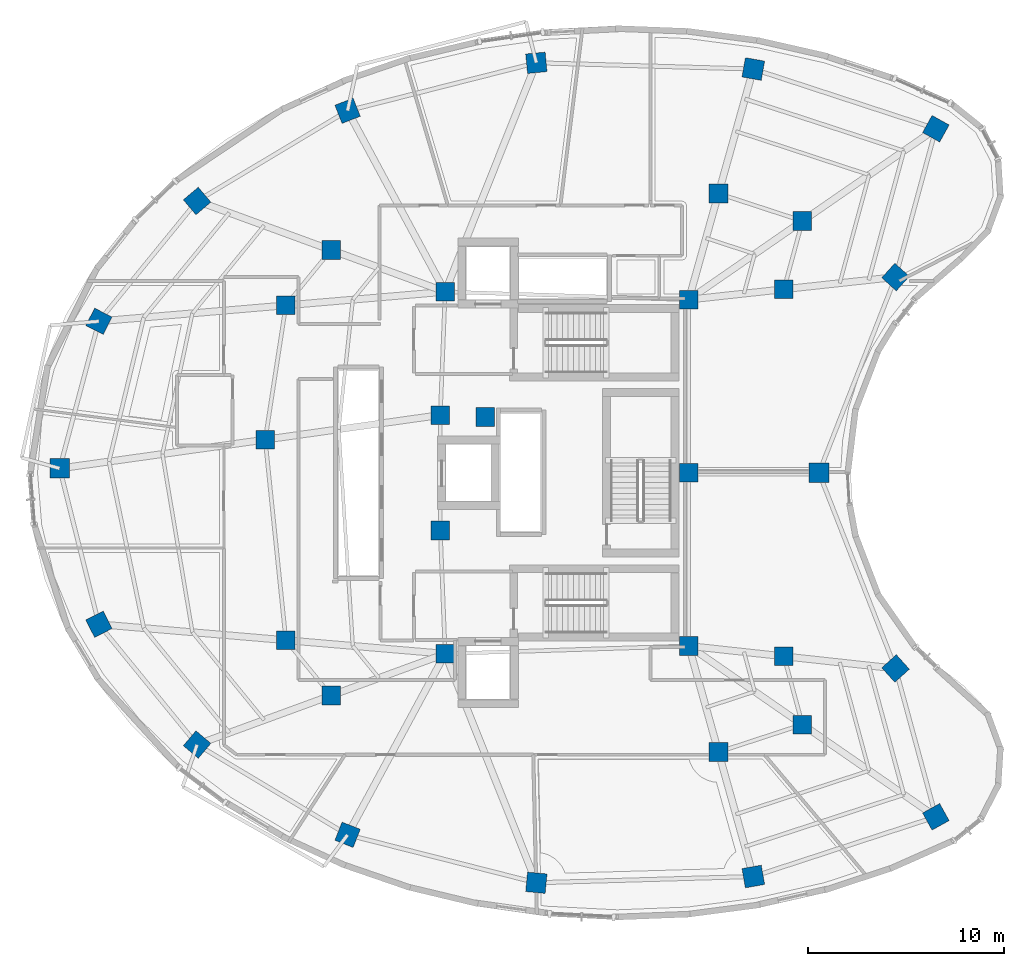
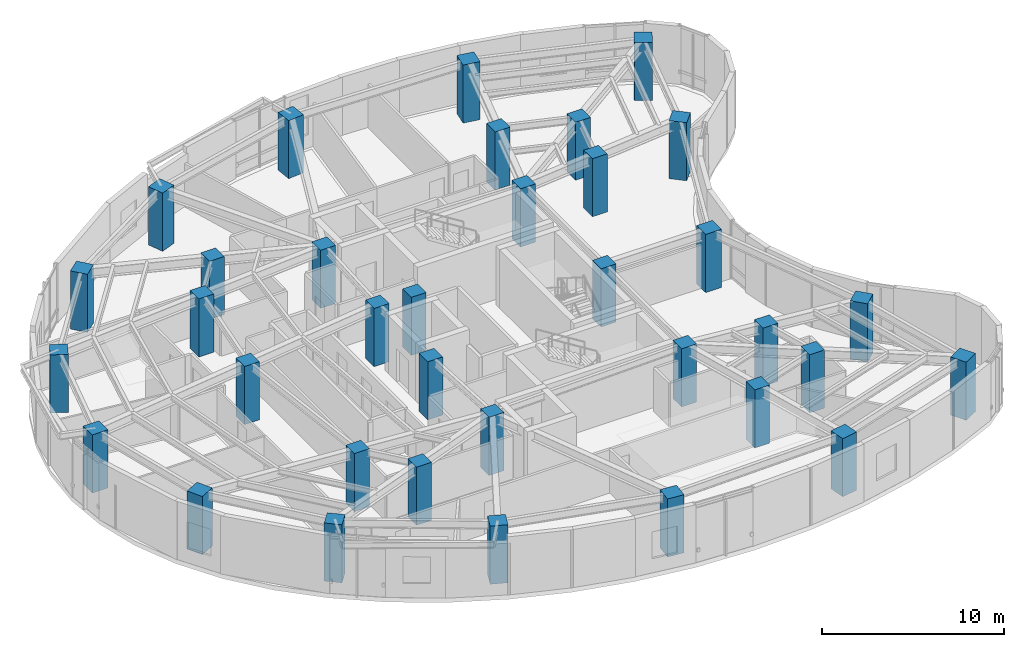
# One storey, part 1 of 15: 35 columns.
"""IFC4 building model written with IfcOpenShell, lengths in metres."""

import ifcopenshell
import ifcopenshell.guid

model = None  # the IFC model being written
_history = None  # IfcOwnerHistory: only IFC2X3 demands one
_inside = {}  # id of a spatial element -> (the spatial element, [elements in it])
_under = {}  # id of a project, library or spatial element -> (it, [spatial elements below it])
_declared = {}  # id of a project -> (the project, [libraries it declares])
_typed = {}  # id of a type object -> (the type object, [elements of that type])
_made_of = {}  # id of a material, layer set ... -> (it, [elements and type objects made of it])


def new_model(schema):
    """Start an empty IFC model of exactly this schema.

    Asked for "IFC4X3", IfcOpenShell would pick the latest addendum, in which some entities
    have other attributes; the version numbers below select the first issue.
    IFC2X3 requires an IfcOwnerHistory on every rooted entity: one is made here for all.
    """
    global model, _history
    if schema == "IFC4X3":
        model = ifcopenshell.file(schema_version=(4, 3, 0, 0))
    else:
        model = ifcopenshell.file(schema=schema)
    _inside.clear()
    _under.clear()
    _declared.clear()
    _typed.clear()
    _made_of.clear()
    _history = None
    if model.schema == "IFC2X3":
        org = make("IfcOrganization", Name="unknown")
        user = make(
            "IfcPersonAndOrganization",
            ThePerson=make("IfcPerson", FamilyName="unknown"),
            TheOrganization=org,
        )
        app = make(
            "IfcApplication",
            ApplicationDeveloper=org,
            Version="unknown",
            ApplicationFullName="unknown",
            ApplicationIdentifier="unknown",
        )
        _history = make(
            "IfcOwnerHistory",
            OwningUser=user,
            OwningApplication=app,
            ChangeAction="ADDED",
            CreationDate=0,
        )
    return model


def make(cls, **values):
    """One entity of the class cls with the attributes given. An attribute that is None is left unset."""
    return model.create_entity(
        cls, **{name: value for name, value in values.items() if value is not None}
    )


def rooted(cls, **values):
    """An entity with a GlobalId (a new one), such as an element, a storey or a relation."""
    return make(cls, GlobalId=ifcopenshell.guid.new(), OwnerHistory=_history, **values)


def si_unit(unit_type, name, prefix=None):
    """IfcSIUnit, for example si_unit("LENGTHUNIT", "METRE", prefix="MILLI")."""
    return make("IfcSIUnit", UnitType=unit_type, Prefix=prefix, Name=name)


def assignment(units):
    """IfcUnitAssignment: the units of a project."""
    return None if units is None else make("IfcUnitAssignment", Units=units)


def point(xyz):
    """IfcCartesianPoint."""
    return None if xyz is None else make("IfcCartesianPoint", Coordinates=xyz)


def direction(xyz):
    """IfcDirection."""
    return None if xyz is None else make("IfcDirection", DirectionRatios=xyz)


def frame(location, z_axis=None, x_axis=None):
    """IfcAxis2Placement3D, a coordinate frame: its origin and axes. An axis left out is left unset."""
    return make(
        "IfcAxis2Placement3D",
        Location=point(location),
        Axis=direction(z_axis),
        RefDirection=direction(x_axis),
    )


def frame_2d(location, x_axis=None):
    """IfcAxis2Placement2D, a coordinate frame in the plane: its origin and x axis."""
    return make(
        "IfcAxis2Placement2D", Location=point(location), RefDirection=direction(x_axis)
    )


def origin():
    """The frame at (0, 0, 0) with its axes left unset."""
    return frame((0.0, 0.0, 0.0))


def origin_2d():
    """The frame at (0, 0) in the plane with its x axis left unset."""
    return frame_2d((0.0, 0.0))


def place(relative_to, where):
    """IfcLocalPlacement: puts the frame where relative to a parent placement (None: the world)."""
    return make(
        "IfcLocalPlacement", PlacementRelTo=relative_to, RelativePlacement=where
    )


def context(
    kind, dimensions, precision=None, world=None, true_north=None, identifier=None
):
    """IfcGeometricRepresentationContext, for example the 3D "Model" context."""
    return make(
        "IfcGeometricRepresentationContext",
        ContextIdentifier=identifier,
        ContextType=kind,
        CoordinateSpaceDimension=dimensions,
        Precision=precision,
        WorldCoordinateSystem=world,
        TrueNorth=true_north,
    )


def subcontext(parent, identifier, kind, view, scale=None):
    """IfcGeometricRepresentationSubContext, for example "Body" below "Model"."""
    return make(
        "IfcGeometricRepresentationSubContext",
        ContextIdentifier=identifier,
        ContextType=kind,
        ParentContext=parent,
        TargetScale=scale,
        TargetView=view,
    )


def project(units=None, contexts=None):
    """IfcProject with its units and contexts."""
    return rooted(
        "IfcProject",
        Name="project",
        RepresentationContexts=contexts,
        UnitsInContext=assignment(units),
    )


def spatial(cls, under=None, at=None, **own):
    """A site, building, storey or space (cls), placed at a placement, below another one or the project."""
    s = rooted(cls, ObjectPlacement=at, **own)
    if under is not None:
        _under.setdefault(under.id(), (under, []))[1].append(s)
    return s


def profile(cls, at=None, kind="AREA", **sizes):
    """A parametric profile (cls). Its sizes go by their IFC names, for example OverallWidth=200.0."""
    return make(cls, ProfileType=kind, Position=at, **sizes)


def rectangle(**sizes):
    """IfcRectangleProfileDef."""
    return profile("IfcRectangleProfileDef", **sizes)


def extrude(swept, where, along, depth):
    """IfcExtrudedAreaSolid: the profile swept, set in the frame where, extruded along a direction by depth."""
    return make(
        "IfcExtrudedAreaSolid",
        SweptArea=swept,
        Position=where,
        ExtrudedDirection=direction(along),
        Depth=depth,
    )


def shape(context_of_items, identifier, shape_type, items):
    """IfcShapeRepresentation: the items that make up one representation, for example the "Body"."""
    return make(
        "IfcShapeRepresentation",
        ContextOfItems=context_of_items,
        RepresentationIdentifier=identifier,
        RepresentationType=shape_type,
        Items=items,
    )


def material(Name=None, Category=None):
    """IfcMaterial."""
    return make("IfcMaterial", Name=Name, Category=Category)


def material_profile(
    of_material, cross_section, Name=None, Category=None, Priority=None
):
    """IfcMaterialProfile: a cross section and its material."""
    return make(
        "IfcMaterialProfile",
        Name=Name,
        Material=of_material,
        Profile=cross_section,
        Priority=Priority,
        Category=Category,
    )


def profile_set(profiles, Name=None, composite=None):
    """IfcMaterialProfileSet."""
    return make(
        "IfcMaterialProfileSet",
        Name=Name,
        MaterialProfiles=profiles,
        CompositeProfile=composite,
    )


def made_of(thing, what):
    """Note that an element or type object is made of a material, layer set ...; save() writes the relation."""
    if what is not None:
        _made_of.setdefault(what.id(), (what, []))[1].append(thing)
    return thing


def type_object(cls, material=None, **own):
    """A type object (cls), such as IfcWallType, which elements share."""
    return made_of(rooted(cls, **own), material)


def element(
    cls,
    number,
    at=None,
    inside=None,
    cuts=None,
    type_object=None,
    material=None,
    context=None,
    identifier="Body",
    shape_type=None,
    held_by="IfcProductDefinitionShape",
    body=None,
    shapes=None,
    **own,
):
    """One element of the class cls, such as IfcWall. Its Tag is "e" and its number.

    at: its placement. inside: the storey or other place that contains it. cuts: it is an
    opening in that element (IfcRelVoidsElement). A single representation is given by context,
    identifier, shape_type and body (its items); several are given by shapes. held_by: the class
    of the entity that holds the representations. save() writes the other relations.
    """
    e = rooted(cls, Tag="e%d" % number, ObjectPlacement=at, **own)
    if body is not None:
        shapes = [shape(context, identifier, shape_type, body)]
    if shapes is not None:
        e.Representation = make(held_by, Representations=shapes)
    if inside is not None:
        _inside.setdefault(inside.id(), (inside, []))[1].append(e)
    if cuts is not None:
        rooted(
            "IfcRelVoidsElement", RelatingBuildingElement=cuts, RelatedOpeningElement=e
        )
    if type_object is not None:
        _typed.setdefault(type_object.id(), (type_object, []))[1].append(e)
    return made_of(e, material)


def aggregate(whole, parts):
    """IfcRelAggregates: a whole, such as a stair, and the parts it consists of."""
    return rooted("IfcRelAggregates", RelatingObject=whole, RelatedObjects=parts)


def save(model, path):
    """Write the relations noted so far, then the file.

    IfcRelAggregates (storeys below a building ...), IfcRelContainedInSpatialStructure (elements
    in a storey), IfcRelDefinesByType, IfcRelAssociatesMaterial and IfcRelDeclares: one each for
    every whole, place, type object, material and project.
    """
    for whole, parts in _under.values():
        aggregate(whole, parts)
    for where, things in _inside.values():
        rooted(
            "IfcRelContainedInSpatialStructure",
            RelatedElements=things,
            RelatingStructure=where,
        )
    for kind, things in _typed.values():
        rooted("IfcRelDefinesByType", RelatedObjects=things, RelatingType=kind)
    for what, things in _made_of.values():
        rooted("IfcRelAssociatesMaterial", RelatedObjects=things, RelatingMaterial=what)
    for by, libraries in _declared.values():
        rooted("IfcRelDeclares", RelatingContext=by, RelatedDefinitions=libraries)
    model.write(path)


model = new_model("IFC4")

# Units and contexts
model_context = context("Model", 3, precision=1e-05, world=origin(), true_north=direction((0.0, 1.0)))
body_context = subcontext(model_context, "Body", "Model", "MODEL_VIEW")
ifc_project = project(units=[si_unit("LENGTHUNIT", "METRE"), si_unit("AREAUNIT", "SQUARE_METRE"), si_unit("VOLUMEUNIT", "CUBIC_METRE"), si_unit("PLANEANGLEUNIT", "RADIAN"), si_unit("MASSUNIT", "GRAM", prefix="KILO")], contexts=[model_context])

# Site, building, storey
site_placement = place(None, origin())
site = spatial("IfcSite", under=ifc_project, at=site_placement, CompositionType="ELEMENT")
building_placement = place(site_placement, origin())
building = spatial("IfcBuilding", under=site, at=building_placement, Name="Korentha Bioscience Tower", CompositionType="ELEMENT")
storey_placement = place(building_placement, frame((0.0, 0.0, 218.39990234375)))
storey = spatial("IfcBuildingStorey", under=building, at=storey_placement, Name="L50", CompositionType="ELEMENT", Elevation=218.39990234375)

# Columns
ifc_material = material(Name="Concrete C65", Category="concrete")
ifc_material_profile_1 = material_profile(ifc_material, rectangle(XDim=0.949951171875, YDim=0.949951171875, at=origin_2d()), Name="Concrete C65")
ifc_profile_set_1 = profile_set([ifc_material_profile_1], Name="Concrete C65 (COL-CP09)")
column_type_1 = type_object("IfcColumnType", Name="Core Pilaster Column RC 950x950", PredefinedType="PILASTER", material=ifc_profile_set_1)
for number, where, z_axis, x_axis, name in (
    (1, (37.550048828125, 35.85009765625, -0.00048828125), (0.0, 0.0, 1.0), (1.0, 0.0, 0.0), "L50 Core Pilaster CP-01"),
    (2, (25.10009765625, 36.25, -0.00048828125), (0.0, 0.0, 1.0), (1.0, 0.0, 0.0), "L50 Core Pilaster CP-02"),
    (3, (24.85009765625, 29.949951171875, -0.00048828125), (0.0, 0.0, 1.0), (1.0, 0.0, 0.0), "L50 Core Pilaster CP-03"),
    (4, (27.14990234375, 29.85009765625, -0.00048828125), (0.0, 0.0, 1.0), (1.0, 0.0, 0.0), "L50 Core Pilaster CP-04"),
    (5, (24.85009765625, 24.050048828125, -0.00048828125), (0.0, 0.0, 1.0), (1.0, 0.0, 0.0), "L50 Core Pilaster CP-05"),
    (6, (25.10009765625, 17.75, -0.00048828125), (0.0, 0.0, 1.0), (1.0, 0.0, 0.0), "L50 Core Pilaster CP-06"),
    (7, (37.550048828125, 18.14990234375, -0.00048828125), (0.0, 0.0, 1.0), (1.0, 0.0, 0.0), "L50 Core Pilaster CP-07"),
    (8, (37.550048828125, 27.0, -0.00048828125), (0.0, 0.0, 1.0), (1.0, 0.0, 0.0), "L50 Core Pilaster CP-08"),
):
    element("IfcColumn", number, at=place(storey_placement, frame(where, z_axis=z_axis, x_axis=x_axis)), inside=storey, type_object=column_type_1, Name=name, PredefinedType="PILASTER", context=body_context, shape_type="SweptSolid", body=[
        extrude(rectangle(XDim=0.949951171875, YDim=0.949951171875, at=origin_2d()), origin(), (0.0, 0.0, 1.0), 3.901123046875),
    ])
ifc_material_profile_2 = material_profile(ifc_material, rectangle(XDim=0.949951171875, YDim=0.949951171875, at=origin_2d()), Name="Concrete C65")
ifc_profile_set_2 = profile_set([ifc_material_profile_2], Name="Concrete C65 (COL-MR09)")
column_type_2 = type_object("IfcColumnType", Name="Mid-Ring Lab Column RC 950x950", PredefinedType="COLUMN", material=ifc_profile_set_2)
for number, where, z_axis, x_axis, name in (
    (9, (43.357666015625, 39.8662109375, -0.00048828125), (0.0, 0.0, 1.0), (1.0, 0.0, 0.0), "L50 Mid-Ring Column 01"),
    (10, (39.066650390625, 41.269775390625, -0.00048828125), (0.0, 0.0, 1.0), (1.0, 0.0, 0.0), "L50 Mid-Ring Column 02"),
    (11, (19.268310546875, 38.3837890625, -0.00048828125), (0.0, 0.0, 1.0), (1.0, 0.0, 0.0), "L50 Mid-Ring Column 05"),
    (12, (16.96044921875, 35.555908203125, -0.00048828125), (0.0, 0.0, 1.0), (1.0, 0.0, 0.0), "L50 Mid-Ring Column 06"),
    (13, (15.903076171875, 28.69482421875, -0.00048828125), (0.0, 0.0, 1.0), (1.0, 0.0, 0.0), "L50 Mid-Ring Column 07"),
    (14, (16.96044921875, 18.444091796875, -0.00048828125), (0.0, 0.0, 1.0), (1.0, 0.0, 0.0), "L50 Mid-Ring Column 08"),
    (15, (19.268310546875, 15.6162109375, -0.00048828125), (0.0, 0.0, 1.0), (1.0, 0.0, 0.0), "L50 Mid-Ring Column 09"),
    (16, (39.066650390625, 12.730224609375, -0.00048828125), (0.0, 0.0, 1.0), (1.0, 0.0, 0.0), "L50 Mid-Ring Column 12"),
    (17, (43.357666015625, 14.1337890625, -0.00048828125), (0.0, 0.0, 1.0), (1.0, 0.0, 0.0), "L50 Mid-Ring Column 13"),
    (18, (42.41064453125, 17.620361328125, -0.00048828125), (0.0, 0.0, 1.0), (1.0, 0.0, 0.0), "L50 Mid-Ring Column 14"),
    (19, (42.41064453125, 36.379638671875, -0.00048828125), (0.0, 0.0, 1.0), (1.0, 0.0, 0.0), "L50 Mid-Ring Column 16"),
):
    element("IfcColumn", number, at=place(storey_placement, frame(where, z_axis=z_axis, x_axis=x_axis)), inside=storey, type_object=column_type_2, Name=name, PredefinedType="COLUMN", context=body_context, shape_type="SweptSolid", body=[
        extrude(rectangle(XDim=0.949951171875, YDim=0.949951171875, at=origin_2d()), origin(), (0.0, 0.0, 1.0), 3.901123046875),
    ])
ifc_material_profile_3 = material_profile(ifc_material, rectangle(XDim=1.0, YDim=1.0, at=origin_2d()), Name="Concrete C65")
ifc_profile_set_3 = profile_set([ifc_material_profile_3], Name="Concrete C65 (COL-P10)")
column_type_3 = type_object("IfcColumnType", Name="Perimeter Column RC 1000x1000", PredefinedType="COLUMN", material=ifc_profile_set_3)
for number, where, z_axis, x_axis, name in (
    (20, (50.175537109375, 44.580810546875, -0.00048828125), (0.0, 0.0, 1.0), (-0.874535078577, 0.484962262797, 0.0), "L50 Perimeter Column 01"),
    (21, (40.846923828125, 47.632080078125, -0.00048828125), (0.0, 0.0, 1.0), (-0.984868307662, 0.173304404339, 0.0), "L50 Perimeter Column 02"),
    (22, (29.75927734375, 47.951171875, -0.00048828125), (0.0, 0.0, 1.0), (0.995462868748, 0.095150811579, 0.0), "L50 Perimeter Column 03"),
    (23, (20.11328125, 45.5, -0.00048828125), (0.0, 0.0, 1.0), (0.930225540858, 0.366988341962, 0.0), "L50 Perimeter Column 04"),
    (24, (12.422607421875, 40.888671875, -0.00048828125), (0.0, 0.0, 1.0), (0.764246456939, 0.644924300253, 0.0), "L50 Perimeter Column 05"),
    (25, (7.4052734375, 34.741455078125, -0.00048828125), (0.0, 0.0, 1.0), (0.453057191132, 0.891481453292, 0.0), "L50 Perimeter Column 06"),
    (26, (5.39990234375, 27.2216796875, -0.00048828125), (0.0, 0.0, 1.0), (0.0, 1.0, 0.0), "L50 Perimeter Column 07"),
    (27, (7.4052734375, 19.258544921875, -0.00048828125), (0.0, 0.0, 1.0), (-0.453057191132, 0.891481453292, 0.0), "L50 Perimeter Column 08"),
    (28, (12.422607421875, 13.111328125, -0.00048828125), (0.0, 0.0, 1.0), (-0.764246456939, 0.644924300253, 0.0), "L50 Perimeter Column 09"),
    (29, (20.11328125, 8.5, -0.00048828125), (0.0, 0.0, 1.0), (-0.930225540858, 0.366988341962, 0.0), "L50 Perimeter Column 10"),
    (30, (29.75927734375, 6.048828125, -0.00048828125), (0.0, 0.0, 1.0), (-0.995462868748, 0.095150811579, 0.0), "L50 Perimeter Column 11"),
    (31, (40.846923828125, 6.367919921875, -0.00048828125), (0.0, 0.0, 1.0), (0.984868307662, 0.173304404339, 0.0), "L50 Perimeter Column 12"),
    (32, (50.175537109375, 9.419189453125, -0.00048828125), (0.0, 0.0, 1.0), (0.874535078577, 0.484962262797, 0.0), "L50 Perimeter Column 13"),
    (33, (48.116455078125, 16.998779296875, -0.00048828125), (0.0, 0.0, 1.0), (-0.669130606359, 0.743144825477, 0.0), "L50 Perimeter Column 14"),
    (34, (44.201904296875, 27.0, -0.00048828125), (0.0, 0.0, 1.0), (0.0, 1.0, 0.0), "L50 Perimeter Column 15"),
    (35, (48.116455078125, 37.001220703125, -0.00048828125), (0.0, 0.0, 1.0), (0.669130606359, 0.743144825477, 0.0), "L50 Perimeter Column 16"),
):
    element("IfcColumn", number, at=place(storey_placement, frame(where, z_axis=z_axis, x_axis=x_axis)), inside=storey, type_object=column_type_3, Name=name, PredefinedType="COLUMN", context=body_context, shape_type="SweptSolid", body=[
        extrude(rectangle(XDim=1.0, YDim=1.0, at=origin_2d()), origin(), (0.0, 0.0, 1.0), 3.901123046875),
    ])

save(model, "model.ifc")
